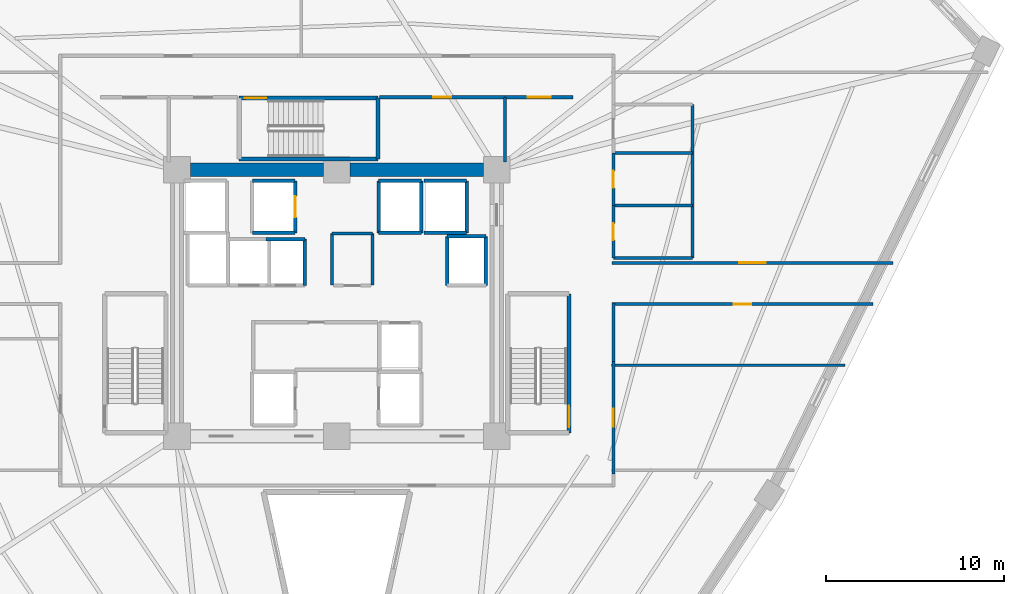
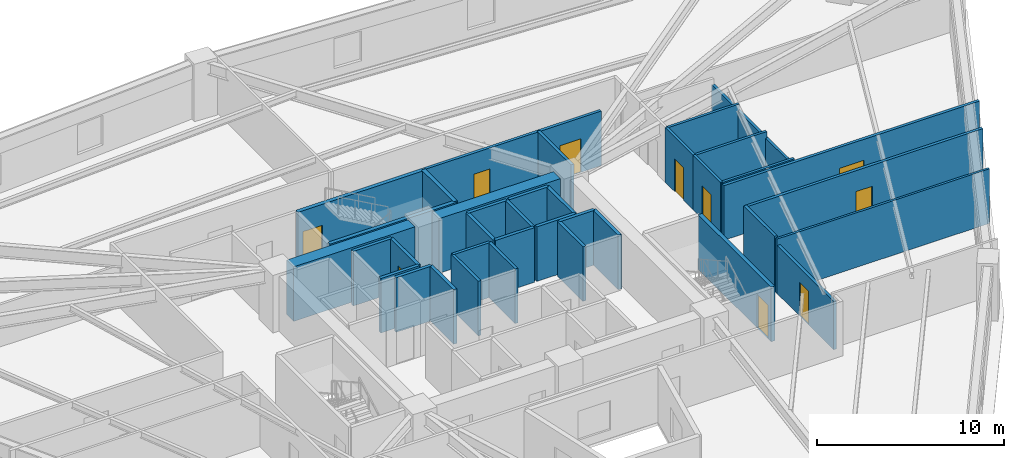
# One storey, part 5 of 7: 38 walls, 10 doors, 10 openings.
"""IFC4 building model written with IfcOpenShell, lengths in metres."""

from ifc_helpers import new_model, si_unit, direction, frame, frame_2d, origin, place, context, subcontext, project, spatial, rectangle, extrude, source, transform, mapped, material, layer, layer_set, type_object, element, fill, save


model = new_model("IFC4")

# Units and contexts
model_context = context("Model", 3, precision=1e-05, world=origin(), true_north=direction((0.0, 1.0)))
body_context = subcontext(model_context, "Body", "Model", "MODEL_VIEW")
ifc_project = project(units=[si_unit("LENGTHUNIT", "METRE"), si_unit("AREAUNIT", "SQUARE_METRE"), si_unit("VOLUMEUNIT", "CUBIC_METRE"), si_unit("PLANEANGLEUNIT", "RADIAN"), si_unit("MASSUNIT", "GRAM", prefix="KILO")], contexts=[model_context])

# Site, building, storey
site_placement = place(None, origin())
site = spatial("IfcSite", under=ifc_project, at=site_placement, CompositionType="ELEMENT")
building_placement = place(site_placement, origin())
building = spatial("IfcBuilding", under=site, at=building_placement, Name="Liaohun Quay Tower", CompositionType="ELEMENT")
storey_placement = place(building_placement, frame((0.0, 0.0, 120.75)))
storey = spatial("IfcBuildingStorey", under=building, at=storey_placement, Name="L31", CompositionType="ELEMENT", Elevation=120.75)

# Walls
ifc_material_1 = material(Name="Concrete C60", Category="concrete")
ifc_layer_1 = layer(ifc_material_1, 0.75, Name="Concrete C60", Category="concrete")
ifc_layer_set_1 = layer_set([ifc_layer_1], Name="Concrete C60")
wall_type_1 = type_object("IfcWallType", Name="WAL-COR-Z2", PredefinedType="SHEAR", material=ifc_layer_set_1)
for number, where, z_axis, x_axis, name in (
    (1, (51.75, 61.5, 0.0), (0.0, 0.0, 1.0), (1.0, 0.0, 0.0), "L31 Central Core Shear Wall N-W"),
    (2, (60.75, 61.5, 0.0), (0.0, 0.0, 1.0), (1.0, 0.0, 0.0), "L31 Central Core Shear Wall N-E"),
):
    element("IfcWall", number, at=place(storey_placement, frame(where, z_axis=z_axis, x_axis=x_axis)), inside=storey, type_object=wall_type_1, Name=name, PredefinedType="SHEAR", context=body_context, shape_type="SweptSolid", body=[
        extrude(rectangle(XDim=7.5, YDim=0.75, at=frame_2d((3.75, 0.0))), origin(), (0.0, 0.0, 1.0), 3.570068359375),
    ])

# Wall, opening, door
ifc_material_2 = material(Name="Autoclaved aerated concrete blockwork", Category="masonry")
ifc_layer_2 = layer(ifc_material_2, 0.179931640625, Name="Autoclaved aerated concrete blockwork", Category="masonry")
ifc_layer_set_2 = layer_set([ifc_layer_2], Name="Autoclaved aerated concrete blockwork")
wall_type_2 = type_object("IfcWallType", Name="WAL-PRT-COR", PredefinedType="PARTITIONING", material=ifc_layer_set_2)
wall_1_placement = place(storey_placement, frame((62.389892578125, 65.580078125, 0.0), z_axis=(0.0, 0.0, 1.0), x_axis=(1.0, 0.0, 0.0)))
wall_1 = element("IfcWall", 3, at=wall_1_placement, inside=storey, type_object=wall_type_2, Name="L31 Interior Partition Wall 007", PredefinedType="PARTITIONING", context=body_context, shape_type="SweptSolid", body=[
    extrude(rectangle(XDim=7.070068359375, YDim=0.179931640625, at=frame_2d((3.53515625, 0.0))), origin(), (0.0, 0.0, 1.0), 3.570068359375),
])
shared_shape_1 = source(origin(), body_context, "Body", "SweptSolid", [
    extrude(rectangle(XDim=1.0, YDim=2.199951171875, at=frame_2d((0.5, 1.10009765625))), frame((0.0, 0.099853515625, 0.0), z_axis=(0.0, -1.0, 0.0), x_axis=(1.0, 0.0, 0.0)), (0.0, 0.0, 1.0), 0.199951171875),
])
opening_1_placement = place(wall_1_placement, frame((3.034912109375, 0.0, 0.0)))
opening_1 = element("IfcOpeningElement", 4, at=opening_1_placement, cuts=wall_1, Name="Opening OD1", PredefinedType="OPENING", context=body_context, shape_type="MappedRepresentation", body=[
    mapped(shared_shape_1, transform((0.0, 0.0, 0.0), x_axis=(1.0, 0.0, 0.0), y_axis=(0.0, 1.0, 0.0), z_axis=(0.0, 0.0, 1.0), scale=1.0)),
])
ifc_material_3 = material(Name="Solid-core oak veneer timber leaf in steel frame", Category="steel")
door_type_1 = type_object("IfcDoorType", Name="DOR-OFF-1000", OperationType="NOTDEFINED", PredefinedType="DOOR", material=ifc_material_3)
shared_shape_2 = source(origin(), body_context, "Body", "SweptSolid", [
    extrude(rectangle(XDim=1.0, YDim=2.199951171875, at=frame_2d((0.5, 1.10009765625))), frame((0.0, 0.02490234375, 0.0), z_axis=(0.0, -1.0, 0.0), x_axis=(1.0, 0.0, 0.0)), (0.0, 0.0, 1.0), 0.050048828125),
])
door_1_placement = place(opening_1_placement, origin())
door_1 = element("IfcDoor", 5, at=door_1_placement, inside=storey, type_object=door_type_1, Name="L31 North-East Archive and Mail Room Door", OperationType="SINGLE_SWING_RIGHT", OverallHeight=2.199951171875, OverallWidth=1.0, PredefinedType="DOOR", context=body_context, shape_type="MappedRepresentation", body=[
    mapped(shared_shape_2, transform((0.0, 0.0, 0.0), x_axis=(1.0, 0.0, 0.0), y_axis=(0.0, 1.0, 0.0), z_axis=(0.0, 0.0, 1.0), scale=1.0)),
])
fill(opening_1, door_1)

wall_2_placement = place(storey_placement, frame((69.4599609375, 65.580078125, 0.0), z_axis=(0.0, 0.0, 1.0), x_axis=(1.0, 0.0, 0.0)))
wall_2 = element("IfcWall", 6, at=wall_2_placement, inside=storey, type_object=wall_type_2, Name="L31 Interior Partition Wall 009", PredefinedType="PARTITIONING", context=body_context, shape_type="SweptSolid", body=[
    extrude(rectangle(XDim=3.840087890625, YDim=0.179931640625, at=frame_2d((1.919921875, 0.0))), origin(), (0.0, 0.0, 1.0), 3.570068359375),
])
shared_shape_3 = source(origin(), body_context, "Body", "SweptSolid", [
    extrude(rectangle(XDim=1.300048828125, YDim=2.199951171875, at=frame_2d((0.64990234375, 1.10009765625))), frame((0.0, 0.099853515625, 0.0), z_axis=(0.0, -1.0, 0.0), x_axis=(1.0, 0.0, 0.0)), (0.0, 0.0, 1.0), 0.199951171875),
])
opening_2_placement = place(wall_2_placement, frame((1.27001953125, 0.0, 0.0)))
opening_2 = element("IfcOpeningElement", 7, at=opening_2_placement, cuts=wall_2, Name="Opening FD1", PredefinedType="OPENING", context=body_context, shape_type="MappedRepresentation", body=[
    mapped(shared_shape_3, transform((0.0, 0.0, 0.0), x_axis=(1.0, 0.0, 0.0), y_axis=(0.0, 1.0, 0.0), z_axis=(0.0, 0.0, 1.0), scale=1.0)),
])
ifc_material_4 = material(Name="Galvanised steel smokeproof fire door", Category="steel")
door_type_2 = type_object("IfcDoorType", Name="DOR-FFL-1300", OperationType="NOTDEFINED", PredefinedType="DOOR", material=ifc_material_4)
shared_shape_4 = source(origin(), body_context, "Body", "SweptSolid", [
    extrude(rectangle(XDim=1.300048828125, YDim=2.199951171875, at=frame_2d((0.64990234375, 1.10009765625))), frame((0.0, 0.02490234375, 0.0), z_axis=(0.0, -1.0, 0.0), x_axis=(1.0, 0.0, 0.0)), (0.0, 0.0, 1.0), 0.050048828125),
])
door_2_placement = place(opening_2_placement, origin())
door_2 = element("IfcDoor", 8, at=door_2_placement, inside=storey, type_object=door_type_2, Name="L31 East Core Vestibule Door", OperationType="SINGLE_SWING_RIGHT", OverallHeight=2.199951171875, OverallWidth=1.300048828125, PredefinedType="DOOR", context=body_context, shape_type="MappedRepresentation", body=[
    mapped(shared_shape_4, transform((0.0, 0.0, 0.0), x_axis=(1.0, 0.0, 0.0), y_axis=(0.0, 1.0, 0.0), z_axis=(0.0, 0.0, 1.0), scale=1.0)),
])
fill(opening_2, door_2)

wall_3_placement = place(storey_placement, frame((75.489990234375, 56.260009765625, 0.0), z_axis=(0.0, 0.0, 1.0), x_axis=(1.0, 0.0, 0.0)))
wall_3 = element("IfcWall", 9, at=wall_3_placement, inside=storey, type_object=wall_type_2, Name="L31 Interior Partition Wall 010", PredefinedType="PARTITIONING", context=body_context, shape_type="SweptSolid", body=[
    extrude(rectangle(XDim=15.81103515625, YDim=0.179931640625, at=frame_2d((7.905517578125, 0.0))), origin(), (0.0, 0.0, 1.0), 3.570068359375),
])
shared_shape_5 = source(origin(), body_context, "Body", "SweptSolid", [
    extrude(rectangle(XDim=1.5, YDim=2.199951171875, at=frame_2d((0.75, 1.10009765625))), frame((0.0, 0.099853515625, 0.0), z_axis=(0.0, -1.0, 0.0), x_axis=(1.0, 0.0, 0.0)), (0.0, 0.0, 1.0), 0.199951171875),
])
opening_3_placement = place(wall_3_placement, frame((7.156005859375, 0.0, 0.0)))
opening_3 = element("IfcOpeningElement", 10, at=opening_3_placement, cuts=wall_3, Name="Opening OD2", PredefinedType="OPENING", context=body_context, shape_type="MappedRepresentation", body=[
    mapped(shared_shape_5, transform((0.0, 0.0, 0.0), x_axis=(1.0, 0.0, 0.0), y_axis=(0.0, 1.0, 0.0), z_axis=(0.0, 0.0, 1.0), scale=1.0)),
])
ifc_material_5 = material(Name="Acoustic oak veneer double door")
door_type_3 = type_object("IfcDoorType", Name="DOR-OFF-1500", OperationType="DOUBLE_DOOR_SINGLE_SWING", PredefinedType="DOOR", material=ifc_material_5)
shared_shape_6 = source(origin(), body_context, "Body", "SweptSolid", [
    extrude(rectangle(XDim=1.5, YDim=2.199951171875, at=frame_2d((0.75, 1.10009765625))), frame((0.0, 0.02490234375, 0.0), z_axis=(0.0, -1.0, 0.0), x_axis=(1.0, 0.0, 0.0)), (0.0, 0.0, 1.0), 0.050048828125),
])
door_3_placement = place(opening_3_placement, origin())
door_3 = element("IfcDoor", 11, at=door_3_placement, inside=storey, type_object=door_type_3, Name="L31 Technical Reference Library 01 Door", OperationType="DOUBLE_DOOR_SINGLE_SWING", OverallHeight=2.199951171875, OverallWidth=1.5, PredefinedType="DOOR", context=body_context, shape_type="MappedRepresentation", body=[
    mapped(shared_shape_6, transform((0.0, 0.0, 0.0), x_axis=(1.0, 0.0, 0.0), y_axis=(0.0, 1.0, 0.0), z_axis=(0.0, 0.0, 1.0), scale=1.0)),
])
fill(opening_3, door_3)

wall_4_placement = place(storey_placement, frame((75.56005859375, 50.715087890625, 0.0), z_axis=(0.0, 0.0, 1.0), x_axis=(0.0, -1.0, 0.0)))
wall_4 = element("IfcWall", 12, at=wall_4_placement, inside=storey, type_object=wall_type_2, Name="L31 Interior Partition Wall 017", PredefinedType="PARTITIONING", context=body_context, shape_type="SweptSolid", body=[
    extrude(rectangle(XDim=6.330078125, YDim=0.179931640625, at=frame_2d((3.1650390625, 0.0))), origin(), (0.0, 0.0, 1.0), 3.155029296875),
])
opening_4_placement = place(wall_4_placement, frame((2.6650390625, 0.0, 0.0)))
opening_4 = element("IfcOpeningElement", 13, at=opening_4_placement, cuts=wall_4, Name="Opening OD1", PredefinedType="OPENING", context=body_context, shape_type="MappedRepresentation", body=[
    mapped(shared_shape_1, transform((0.0, 0.0, 0.0), x_axis=(1.0, 0.0, 0.0), y_axis=(0.0, 1.0, 0.0), z_axis=(0.0, 0.0, 1.0), scale=1.0)),
])
door_4_placement = place(opening_4_placement, origin())
door_4 = element("IfcDoor", 14, at=door_4_placement, inside=storey, type_object=door_type_1, Name="L31 Staff Daycare Nursery 08 Door", OperationType="SINGLE_SWING_RIGHT", OverallHeight=2.199951171875, OverallWidth=1.0, PredefinedType="DOOR", context=body_context, shape_type="MappedRepresentation", body=[
    mapped(shared_shape_2, transform((0.0, 0.0, 0.0), x_axis=(1.0, 0.0, 0.0), y_axis=(0.0, 1.0, 0.0), z_axis=(0.0, 0.0, 1.0), scale=1.0)),
])
fill(opening_4, door_4)

wall_5_placement = place(storey_placement, frame((90.1689453125, 53.93994140625, 0.0), z_axis=(0.0, 0.0, 1.0), x_axis=(-1.0, 0.0, 0.0)))
wall_5 = element("IfcWall", 15, at=wall_5_placement, inside=storey, type_object=wall_type_2, Name="L31 Interior Partition Wall 018", PredefinedType="PARTITIONING", context=body_context, shape_type="SweptSolid", body=[
    extrude(rectangle(XDim=14.678955078125, YDim=0.179931640625, at=frame_2d((7.33935546875, 0.0))), origin(), (0.0, 0.0, 1.0), 3.570068359375),
])
opening_5_placement = place(wall_5_placement, frame((6.840087890625, 0.0, 0.0)))
opening_5 = element("IfcOpeningElement", 16, at=opening_5_placement, cuts=wall_5, Name="Opening OD1", PredefinedType="OPENING", context=body_context, shape_type="MappedRepresentation", body=[
    mapped(shared_shape_1, transform((0.0, 0.0, 0.0), x_axis=(1.0, 0.0, 0.0), y_axis=(0.0, 1.0, 0.0), z_axis=(0.0, 0.0, 1.0), scale=1.0)),
])
door_5_placement = place(opening_5_placement, origin())
door_5 = element("IfcDoor", 17, at=door_5_placement, inside=storey, type_object=door_type_1, Name="L31 Records Archive Store 09 Door", OperationType="SINGLE_SWING_LEFT", OverallHeight=2.199951171875, OverallWidth=1.0, PredefinedType="DOOR", context=body_context, shape_type="MappedRepresentation", body=[
    mapped(shared_shape_2, transform((0.0, 0.0, 0.0), x_axis=(1.0, 0.0, 0.0), y_axis=(0.0, 1.0, 0.0), z_axis=(0.0, 0.0, 1.0), scale=1.0)),
])
fill(opening_5, door_5)

# Walls
for number, where, z_axis, x_axis, name in (
    (18, (59.719970703125, 55.02001953125, 0.0), (0.0, 0.0, 1.0), (0.0, 1.0, 0.0), "L31 Interior Partition Wall 019"),
    (19, (62.010009765625, 55.02001953125, 0.0), (0.0, 0.0, 1.0), (0.0, 1.0, 0.0), "L31 Interior Partition Wall 020"),
):
    element("IfcWall", number, at=place(storey_placement, frame(where, z_axis=z_axis, x_axis=x_axis)), inside=storey, type_object=wall_type_2, Name=name, PredefinedType="PARTITIONING", context=body_context, shape_type="SweptSolid", body=[
        extrude(rectangle(XDim=2.8798828125, YDim=0.179931640625, at=frame_2d((1.43994140625, 0.0))), origin(), (0.0, 0.0, 1.0), 3.570068359375),
    ])
wall_6_placement = place(storey_placement, frame((59.719970703125, 57.919921875, 0.0), z_axis=(0.0, 0.0, 1.0), x_axis=(1.0, 0.0, 0.0)))
element("IfcWall", 20, at=wall_6_placement, inside=storey, type_object=wall_type_2, Name="L31 Interior Partition Wall 021", PredefinedType="PARTITIONING", context=body_context, shape_type="SweptSolid", body=[
    extrude(rectangle(XDim=2.2900390625, YDim=0.179931640625, at=frame_2d((1.14501953125, 0.0))), origin(), (0.0, 0.0, 1.0), 3.570068359375),
])
wall_7_placement = place(storey_placement, frame((69.4599609375, 61.949951171875, 0.0), z_axis=(0.0, 0.0, 1.0), x_axis=(0.0, 1.0, 0.0)))
element("IfcWall", 21, at=wall_7_placement, inside=storey, type_object=wall_type_2, Name="L31 Interior Partition Wall 028", PredefinedType="PARTITIONING", context=body_context, shape_type="SweptSolid", body=[
    extrude(rectangle(XDim=3.630126953125, YDim=0.179931640625, at=frame_2d((1.81494140625, 0.0))), origin(), (0.0, 0.0, 1.0), 3.570068359375),
])
wall_8_placement = place(storey_placement, frame((75.56005859375, 54.010009765625, 0.0), z_axis=(0.0, 0.0, 1.0), x_axis=(0.0, -1.0, 0.0)))
element("IfcWall", 22, at=wall_8_placement, inside=storey, type_object=wall_type_2, Name="L31 Interior Partition Wall 036", PredefinedType="PARTITIONING", context=body_context, shape_type="SweptSolid", body=[
    extrude(rectangle(XDim=3.294921875, YDim=0.179931640625, at=frame_2d((1.6474609375, 0.0))), origin(), (0.0, 0.0, 1.0), 3.570068359375),
])
ifc_material_6 = material(Name="Gypsum board on twin steel studs", Category="steel")
ifc_layer_3 = layer(ifc_material_6, 0.139892578125, Name="Gypsum board on twin steel studs", Category="steel")
ifc_layer_set_3 = layer_set([ifc_layer_3], Name="Gypsum board on twin steel studs")
wall_type_3 = type_object("IfcWallType", Name="WAL-PRT-OFF", PredefinedType="PARTITIONING", material=ifc_layer_set_3)
wall_9_placement = place(storey_placement, frame((75.4599609375, 50.5, 0.0), z_axis=(0.0, 0.0, 1.0), x_axis=(1.0, 0.0, 0.0)))
element("IfcWall", 23, at=wall_9_placement, inside=storey, type_object=wall_type_3, Name="L31 Interior Partition Wall 041", PredefinedType="PARTITIONING", context=body_context, shape_type="SweptSolid", body=[
    extrude(rectangle(XDim=13.137939453125, YDim=0.139892578125, at=frame_2d((6.56884765625, 0.0))), origin(), (0.0, 0.0, 1.0), 3.570068359375),
])

# Wall, opening, door
ifc_material_7 = material(Name="Moisture-resistant masonry blockwork", Category="masonry")
ifc_layer_4 = layer(ifc_material_7, 0.159912109375, Name="Moisture-resistant masonry blockwork", Category="masonry")
ifc_layer_set_4 = layer_set([ifc_layer_4], Name="Moisture-resistant masonry blockwork")
wall_type_4 = type_object("IfcWallType", Name="WAL-PRT-WET", PredefinedType="PARTITIONING", material=ifc_layer_set_4)
wall_10_placement = place(storey_placement, frame((75.56005859375, 56.5400390625, 0.0), z_axis=(0.0, 0.0, 1.0), x_axis=(0.0, 1.0, 0.0)))
wall_10 = element("IfcWall", 24, at=wall_10_placement, inside=storey, type_object=wall_type_4, Name="L31 Interior Partition Wall 003", PredefinedType="PARTITIONING", context=body_context, shape_type="SweptSolid", body=[
    extrude(rectangle(XDim=2.93994140625, YDim=0.159912109375, at=frame_2d((1.469970703125, 0.0))), origin(), (0.0, 0.0, 1.0), 3.570068359375),
])
shared_shape_7 = source(origin(), body_context, "Body", "SweptSolid", [
    extrude(rectangle(XDim=0.949951171875, YDim=2.14990234375, at=frame_2d((0.47509765625, 1.074951171875))), frame((0.0, 0.08984375, 0.0), z_axis=(0.0, -1.0, 0.0), x_axis=(1.0, 0.0, 0.0)), (0.0, 0.0, 1.0), 0.179931640625),
])
opening_6_placement = place(wall_10_placement, frame((0.9951171875, 0.0, 0.0)))
opening_6 = element("IfcOpeningElement", 25, at=opening_6_placement, cuts=wall_10, Name="Opening WD1", PredefinedType="OPENING", context=body_context, shape_type="MappedRepresentation", body=[
    mapped(shared_shape_7, transform((0.0, 0.0, 0.0), x_axis=(1.0, 0.0, 0.0), y_axis=(0.0, 1.0, 0.0), z_axis=(0.0, 0.0, 1.0), scale=1.0)),
])
ifc_material_8 = material(Name="Moisture-resistant laminate timber leaf", Category="wood")
door_type_4 = type_object("IfcDoorType", Name="DOR-WC-950", OperationType="NOTDEFINED", PredefinedType="DOOR", material=ifc_material_8)
shared_shape_8 = source(origin(), body_context, "Body", "SweptSolid", [
    extrude(rectangle(XDim=0.949951171875, YDim=2.14990234375, at=frame_2d((0.47509765625, 1.074951171875))), frame((0.0, 0.02490234375, 0.0), z_axis=(0.0, -1.0, 0.0), x_axis=(1.0, 0.0, 0.0)), (0.0, 0.0, 1.0), 0.050048828125),
])
door_6_placement = place(opening_6_placement, origin())
door_6 = element("IfcDoor", 26, at=door_6_placement, inside=storey, type_object=door_type_4, Name="L31 Male Restroom WC Door", OperationType="SINGLE_SWING_RIGHT", OverallHeight=2.14990234375, OverallWidth=0.949951171875, PredefinedType="DOOR", context=body_context, shape_type="MappedRepresentation", body=[
    mapped(shared_shape_8, transform((0.0, 0.0, 0.0), x_axis=(1.0, 0.0, 0.0), y_axis=(0.0, 1.0, 0.0), z_axis=(0.0, 0.0, 1.0), scale=1.0)),
])
fill(opening_6, door_6)

wall_11_placement = place(storey_placement, frame((75.56005859375, 59.47998046875, 0.0), z_axis=(0.0, 0.0, 1.0), x_axis=(0.0, 1.0, 0.0)))
wall_11 = element("IfcWall", 27, at=wall_11_placement, inside=storey, type_object=wall_type_4, Name="L31 Interior Partition Wall 004", PredefinedType="PARTITIONING", context=body_context, shape_type="SweptSolid", body=[
    extrude(rectangle(XDim=2.9599609375, YDim=0.159912109375, at=frame_2d((1.47998046875, 0.0))), origin(), (0.0, 0.0, 1.0), 3.570068359375),
])
opening_7_placement = place(wall_11_placement, frame((1.0048828125, 0.0, 0.0)))
opening_7 = element("IfcOpeningElement", 28, at=opening_7_placement, cuts=wall_11, Name="Opening WD1", PredefinedType="OPENING", context=body_context, shape_type="MappedRepresentation", body=[
    mapped(shared_shape_7, transform((0.0, 0.0, 0.0), x_axis=(1.0, 0.0, 0.0), y_axis=(0.0, 1.0, 0.0), z_axis=(0.0, 0.0, 1.0), scale=1.0)),
])
door_7_placement = place(opening_7_placement, origin())
door_7 = element("IfcDoor", 29, at=door_7_placement, inside=storey, type_object=door_type_4, Name="L31 Female Restroom WC Door", OperationType="SINGLE_SWING_LEFT", OverallHeight=2.14990234375, OverallWidth=0.949951171875, PredefinedType="DOOR", context=body_context, shape_type="MappedRepresentation", body=[
    mapped(shared_shape_8, transform((0.0, 0.0, 0.0), x_axis=(1.0, 0.0, 0.0), y_axis=(0.0, 1.0, 0.0), z_axis=(0.0, 0.0, 1.0), scale=1.0)),
])
fill(opening_7, door_7)

# Walls
wall_12_placement = place(storey_placement, frame((80.02001953125, 56.5400390625, 0.0), z_axis=(0.0, 0.0, 1.0), x_axis=(0.0, 1.0, 0.0)))
element("IfcWall", 30, at=wall_12_placement, inside=storey, type_object=wall_type_4, Name="L31 Interior Partition Wall 022", PredefinedType="PARTITIONING", context=body_context, shape_type="SweptSolid", body=[
    extrude(rectangle(XDim=8.639892578125, YDim=0.159912109375, at=frame_2d((4.31982421875, 0.0))), origin(), (0.0, 0.0, 1.0), 3.155029296875),
])
for number, where, z_axis, x_axis, name in (
    (31, (75.56005859375, 56.5400390625, 0.0), (0.0, 0.0, 1.0), (1.0, 0.0, 0.0), "L31 Interior Partition Wall 023"),
    (32, (75.56005859375, 59.47998046875, 0.0), (0.0, 0.0, 1.0), (1.0, 0.0, 0.0), "L31 Interior Partition Wall 024"),
    (33, (75.56005859375, 62.43994140625, 0.0), (0.0, 0.0, 1.0), (1.0, 0.0, 0.0), "L31 Interior Partition Wall 025"),
):
    element("IfcWall", number, at=place(storey_placement, frame(where, z_axis=z_axis, x_axis=x_axis)), inside=storey, type_object=wall_type_4, Name=name, PredefinedType="PARTITIONING", context=body_context, shape_type="SweptSolid", body=[
        extrude(rectangle(XDim=4.4599609375, YDim=0.159912109375, at=frame_2d((2.22998046875, 0.0))), origin(), (0.0, 0.0, 1.0), 3.570068359375),
    ])

# Wall, opening, door
ifc_material_9 = material(Name="Concrete C50", Category="concrete")
ifc_layer_5 = layer(ifc_material_9, 0.239990234375, Name="Concrete C50", Category="concrete")
ifc_layer_set_5 = layer_set([ifc_layer_5], Name="Concrete C50")
wall_type_5 = type_object("IfcWallType", Name="WAL-SHF-200", PredefinedType="SOLIDWALL", material=ifc_layer_set_5)
wall_13_placement = place(storey_placement, frame((73.06005859375, 46.699951171875, 0.0), z_axis=(0.0, 0.0, 1.0), x_axis=(0.0, 1.0, 0.0)))
wall_13 = element("IfcWall", 34, at=wall_13_placement, inside=storey, type_object=wall_type_5, Name="L31 Stairwell ST-2 Structural Core Wall E", PredefinedType="SOLIDWALL", context=body_context, shape_type="SweptSolid", body=[
    extrude(rectangle(XDim=7.820068359375, YDim=0.239990234375, at=frame_2d((3.91015625, 0.0))), origin(), (0.0, 0.0, 1.0), 3.570068359375),
])
shared_shape_9 = source(origin(), body_context, "Body", "SweptSolid", [
    extrude(rectangle(XDim=1.199951171875, YDim=2.199951171875, at=frame_2d((0.60009765625, 1.10009765625))), frame((0.0, 0.1298828125, 0.0), z_axis=(0.0, -1.0, 0.0), x_axis=(1.0, 0.0, 0.0)), (0.0, 0.0, 1.0), 0.260009765625),
])
opening_8_placement = place(wall_13_placement, frame((0.320068359375, 0.0, 0.0)))
opening_8 = element("IfcOpeningElement", 35, at=opening_8_placement, cuts=wall_13, Name="Opening SD1", PredefinedType="OPENING", context=body_context, shape_type="MappedRepresentation", body=[
    mapped(shared_shape_9, transform((0.0, 0.0, 0.0), x_axis=(1.0, 0.0, 0.0), y_axis=(0.0, 1.0, 0.0), z_axis=(0.0, 0.0, 1.0), scale=1.0)),
])
ifc_material_10 = material(Name="Galvanised steel fire door", Category="steel")
door_type_5 = type_object("IfcDoorType", Name="DOR-STR-1200", OperationType="NOTDEFINED", PredefinedType="DOOR", material=ifc_material_10)
shared_shape_10 = source(origin(), body_context, "Body", "SweptSolid", [
    extrude(rectangle(XDim=1.199951171875, YDim=2.199951171875, at=frame_2d((0.60009765625, 1.10009765625))), frame((0.0, 0.02490234375, 0.0), z_axis=(0.0, -1.0, 0.0), x_axis=(1.0, 0.0, 0.0)), (0.0, 0.0, 1.0), 0.050048828125),
])
door_8_placement = place(opening_8_placement, origin())
door_8 = element("IfcDoor", 36, at=door_8_placement, inside=storey, type_object=door_type_5, Name="L31 Protected Stair ST-2 Fire Door", OperationType="SINGLE_SWING_RIGHT", OverallHeight=2.199951171875, OverallWidth=1.199951171875, PredefinedType="DOOR", context=body_context, shape_type="MappedRepresentation", body=[
    mapped(shared_shape_10, transform((0.0, 0.0, 0.0), x_axis=(1.0, 0.0, 0.0), y_axis=(0.0, 1.0, 0.0), z_axis=(0.0, 0.0, 1.0), scale=1.0)),
])
fill(opening_8, door_8)

# Walls
wall_14_placement = place(storey_placement, frame((54.5, 62.10009765625, 0.0), z_axis=(0.0, 0.0, 1.0), x_axis=(1.0, 0.0, 0.0)))
element("IfcWall", 37, at=wall_14_placement, inside=storey, type_object=wall_type_5, Name="L31 Stairwell ST-3 Structural Core Wall S", PredefinedType="SOLIDWALL", context=body_context, shape_type="SweptSolid", body=[
    extrude(rectangle(XDim=7.820068359375, YDim=0.239990234375, at=frame_2d((3.91015625, 0.0))), origin(), (0.0, 0.0, 1.0), 3.570068359375),
])
wall_15_placement = place(storey_placement, frame((62.320068359375, 62.10009765625, 0.0), z_axis=(0.0, 0.0, 1.0), x_axis=(0.0, 1.0, 0.0)))
element("IfcWall", 38, at=wall_15_placement, inside=storey, type_object=wall_type_5, Name="L31 Stairwell ST-3 Structural Core Wall E", PredefinedType="SOLIDWALL", context=body_context, shape_type="SweptSolid", body=[
    extrude(rectangle(XDim=3.43994140625, YDim=0.239990234375, at=frame_2d((1.719970703125, 0.0))), origin(), (0.0, 0.0, 1.0), 3.570068359375),
])

# Wall, opening, door
wall_16_placement = place(storey_placement, frame((62.320068359375, 65.5400390625, 0.0), z_axis=(0.0, 0.0, 1.0), x_axis=(-1.0, 0.0, 0.0)))
wall_16 = element("IfcWall", 39, at=wall_16_placement, inside=storey, type_object=wall_type_5, Name="L31 Stairwell ST-3 Structural Core Wall N", PredefinedType="SOLIDWALL", context=body_context, shape_type="SweptSolid", body=[
    extrude(rectangle(XDim=7.820068359375, YDim=0.239990234375, at=frame_2d((3.91015625, 0.0))), origin(), (0.0, 0.0, 1.0), 3.570068359375),
])
opening_9_placement = place(wall_16_placement, frame((6.300048828125, 0.0, 0.0)))
opening_9 = element("IfcOpeningElement", 40, at=opening_9_placement, cuts=wall_16, Name="Opening SD1", PredefinedType="OPENING", context=body_context, shape_type="MappedRepresentation", body=[
    mapped(shared_shape_9, transform((0.0, 0.0, 0.0), x_axis=(1.0, 0.0, 0.0), y_axis=(0.0, 1.0, 0.0), z_axis=(0.0, 0.0, 1.0), scale=1.0)),
])
door_9_placement = place(opening_9_placement, origin())
door_9 = element("IfcDoor", 41, at=door_9_placement, inside=storey, type_object=door_type_5, Name="L31 Protected Stair ST-3 Fire Door", OperationType="SINGLE_SWING_RIGHT", OverallHeight=2.199951171875, OverallWidth=1.199951171875, PredefinedType="DOOR", context=body_context, shape_type="MappedRepresentation", body=[
    mapped(shared_shape_10, transform((0.0, 0.0, 0.0), x_axis=(1.0, 0.0, 0.0), y_axis=(0.0, 1.0, 0.0), z_axis=(0.0, 0.0, 1.0), scale=1.0)),
])
fill(opening_9, door_9)

# Wall
wall_17_placement = place(storey_placement, frame((55.25, 57.949951171875, 0.0), z_axis=(0.0, 0.0, 1.0), x_axis=(1.0, 0.0, 0.0)))
element("IfcWall", 42, at=wall_17_placement, inside=storey, type_object=wall_type_5, Name="L31 Lift FF-03 Hoistway Wall S", PredefinedType="SOLIDWALL", context=body_context, shape_type="SweptSolid", body=[
    extrude(rectangle(XDim=2.39990234375, YDim=0.199951171875, at=frame_2d((1.199951171875, 0.0))), origin(), (0.0, 0.0, 1.0), 3.570068359375),
])

# Wall, opening, door
wall_18_placement = place(storey_placement, frame((57.64990234375, 57.949951171875, 0.0), z_axis=(0.0, 0.0, 1.0), x_axis=(0.0, 1.0, 0.0)))
wall_18 = element("IfcWall", 43, at=wall_18_placement, inside=storey, type_object=wall_type_5, Name="L31 Lift FF-03 Hoistway Wall E", PredefinedType="SOLIDWALL", context=body_context, shape_type="SweptSolid", body=[
    extrude(rectangle(XDim=2.929931640625, YDim=0.199951171875, at=frame_2d((1.46484375, 0.0))), origin(), (0.0, 0.0, 1.0), 3.570068359375),
])
shared_shape_11 = source(origin(), body_context, "Body", "SweptSolid", [
    extrude(rectangle(XDim=1.199951171875, YDim=2.300048828125, at=frame_2d((0.60009765625, 1.14990234375))), frame((0.0, 0.10986328125, 0.0), z_axis=(0.0, -1.0, 0.0), x_axis=(1.0, 0.0, 0.0)), (0.0, 0.0, 1.0), 0.219970703125),
])
opening_10_placement = place(wall_18_placement, frame((0.864990234375, 0.0, 0.0)))
opening_10 = element("IfcOpeningElement", 44, at=opening_10_placement, cuts=wall_18, Name="Opening LD2", PredefinedType="OPENING", context=body_context, shape_type="MappedRepresentation", body=[
    mapped(shared_shape_11, transform((0.0, 0.0, 0.0), x_axis=(1.0, 0.0, 0.0), y_axis=(0.0, 1.0, 0.0), z_axis=(0.0, 0.0, 1.0), scale=1.0)),
])
ifc_material_11 = material(Name="Brushed stainless steel stretcher landing door", Category="steel")
door_type_6 = type_object("IfcDoorType", Name="DOR-LFT-1200", OperationType="SLIDING_TO_LEFT", PredefinedType="DOOR", material=ifc_material_11)
shared_shape_12 = source(origin(), body_context, "Body", "SweptSolid", [
    extrude(rectangle(XDim=1.199951171875, YDim=2.300048828125, at=frame_2d((0.60009765625, 1.14990234375))), frame((0.0, 0.02490234375, 0.0), z_axis=(0.0, -1.0, 0.0), x_axis=(1.0, 0.0, 0.0)), (0.0, 0.0, 1.0), 0.050048828125),
])
door_10_placement = place(opening_10_placement, origin())
door_10 = element("IfcDoor", 45, at=door_10_placement, inside=storey, type_object=door_type_6, Name="L31 Lift FF-03 Sliding Landing Door", OperationType="SLIDING_TO_LEFT", OverallHeight=2.300048828125, OverallWidth=1.199951171875, PredefinedType="DOOR", context=body_context, shape_type="MappedRepresentation", body=[
    mapped(shared_shape_12, transform((0.0, 0.0, 0.0), x_axis=(1.0, 0.0, 0.0), y_axis=(0.0, 1.0, 0.0), z_axis=(0.0, 0.0, 1.0), scale=1.0)),
])
fill(opening_10, door_10)

# Walls
for number, where, z_axis, x_axis, name in (
    (46, (57.64990234375, 60.8798828125, 0.0), (0.0, 0.0, 1.0), (-1.0, 0.0, 0.0), "L31 Lift FF-03 Hoistway Wall N"),
    (47, (62.35009765625, 57.949951171875, 0.0), (0.0, 0.0, 1.0), (1.0, 0.0, 0.0), "L31 Lift OB-01 Hoistway Wall S"),
):
    element("IfcWall", number, at=place(storey_placement, frame(where, z_axis=z_axis, x_axis=x_axis)), inside=storey, type_object=wall_type_5, Name=name, PredefinedType="SOLIDWALL", context=body_context, shape_type="SweptSolid", body=[
        extrude(rectangle(XDim=2.39990234375, YDim=0.199951171875, at=frame_2d((1.199951171875, 0.0))), origin(), (0.0, 0.0, 1.0), 3.570068359375),
    ])
wall_19_placement = place(storey_placement, frame((64.75, 57.949951171875, 0.0), z_axis=(0.0, 0.0, 1.0), x_axis=(0.0, 1.0, 0.0)))
element("IfcWall", 48, at=wall_19_placement, inside=storey, type_object=wall_type_5, Name="L31 Lift OB-01 Hoistway Wall E", PredefinedType="SOLIDWALL", context=body_context, shape_type="SweptSolid", body=[
    extrude(rectangle(XDim=2.929931640625, YDim=0.199951171875, at=frame_2d((1.46484375, 0.0))), origin(), (0.0, 0.0, 1.0), 3.570068359375),
])
wall_20_placement = place(storey_placement, frame((64.75, 60.8798828125, 0.0), z_axis=(0.0, 0.0, 1.0), x_axis=(-1.0, 0.0, 0.0)))
element("IfcWall", 49, at=wall_20_placement, inside=storey, type_object=wall_type_5, Name="L31 Lift OB-01 Hoistway Wall N", PredefinedType="SOLIDWALL", context=body_context, shape_type="SweptSolid", body=[
    extrude(rectangle(XDim=2.39990234375, YDim=0.199951171875, at=frame_2d((1.199951171875, 0.0))), origin(), (0.0, 0.0, 1.0), 3.570068359375),
])
wall_21_placement = place(storey_placement, frame((62.35009765625, 60.8798828125, 0.0), z_axis=(0.0, 0.0, 1.0), x_axis=(0.0, -1.0, 0.0)))
element("IfcWall", 50, at=wall_21_placement, inside=storey, type_object=wall_type_5, Name="L31 Lift OB-01 Hoistway Wall W", PredefinedType="SOLIDWALL", context=body_context, shape_type="SweptSolid", body=[
    extrude(rectangle(XDim=2.929931640625, YDim=0.199951171875, at=frame_2d((1.46484375, 0.0))), origin(), (0.0, 0.0, 1.0), 3.570068359375),
])
wall_22_placement = place(storey_placement, frame((64.89990234375, 57.949951171875, 0.0), z_axis=(0.0, 0.0, 1.0), x_axis=(1.0, 0.0, 0.0)))
element("IfcWall", 51, at=wall_22_placement, inside=storey, type_object=wall_type_5, Name="L31 Lift OB-02 Hoistway Wall S", PredefinedType="SOLIDWALL", context=body_context, shape_type="SweptSolid", body=[
    extrude(rectangle(XDim=2.400146484375, YDim=0.199951171875, at=frame_2d((1.2001953125, 0.0))), origin(), (0.0, 0.0, 1.0), 3.570068359375),
])
wall_23_placement = place(storey_placement, frame((67.300048828125, 57.949951171875, 0.0), z_axis=(0.0, 0.0, 1.0), x_axis=(0.0, 1.0, 0.0)))
element("IfcWall", 52, at=wall_23_placement, inside=storey, type_object=wall_type_5, Name="L31 Lift OB-02 Hoistway Wall E", PredefinedType="SOLIDWALL", context=body_context, shape_type="SweptSolid", body=[
    extrude(rectangle(XDim=2.929931640625, YDim=0.199951171875, at=frame_2d((1.46484375, 0.0))), origin(), (0.0, 0.0, 1.0), 3.570068359375),
])
wall_24_placement = place(storey_placement, frame((67.300048828125, 60.8798828125, 0.0), z_axis=(0.0, 0.0, 1.0), x_axis=(-1.0, 0.0, 0.0)))
element("IfcWall", 53, at=wall_24_placement, inside=storey, type_object=wall_type_5, Name="L31 Lift OB-02 Hoistway Wall N", PredefinedType="SOLIDWALL", context=body_context, shape_type="SweptSolid", body=[
    extrude(rectangle(XDim=2.400146484375, YDim=0.199951171875, at=frame_2d((1.2001953125, 0.0))), origin(), (0.0, 0.0, 1.0), 3.570068359375),
])
wall_25_placement = place(storey_placement, frame((68.3798828125, 55.0, 0.0), z_axis=(0.0, 0.0, 1.0), x_axis=(0.0, 1.0, 0.0)))
element("IfcWall", 54, at=wall_25_placement, inside=storey, type_object=wall_type_5, Name="L31 Lift SH-03 Hoistway Wall E", PredefinedType="SOLIDWALL", context=body_context, shape_type="SweptSolid", body=[
    extrude(rectangle(XDim=2.75, YDim=0.199951171875, at=frame_2d((1.375, 0.0))), origin(), (0.0, 0.0, 1.0), 3.570068359375),
])
wall_26_placement = place(storey_placement, frame((68.3798828125, 57.75, 0.0), z_axis=(0.0, 0.0, 1.0), x_axis=(-1.0, 0.0, 0.0)))
element("IfcWall", 55, at=wall_26_placement, inside=storey, type_object=wall_type_5, Name="L31 Lift SH-03 Hoistway Wall N", PredefinedType="SOLIDWALL", context=body_context, shape_type="SweptSolid", body=[
    extrude(rectangle(XDim=2.179931640625, YDim=0.199951171875, at=frame_2d((1.08984375, 0.0))), origin(), (0.0, 0.0, 1.0), 3.570068359375),
])
wall_27_placement = place(storey_placement, frame((66.199951171875, 57.75, 0.0), z_axis=(0.0, 0.0, 1.0), x_axis=(0.0, -1.0, 0.0)))
element("IfcWall", 56, at=wall_27_placement, inside=storey, type_object=wall_type_5, Name="L31 Lift SH-03 Hoistway Wall W", PredefinedType="SOLIDWALL", context=body_context, shape_type="SweptSolid", body=[
    extrude(rectangle(XDim=2.75, YDim=0.199951171875, at=frame_2d((1.375, 0.0))), origin(), (0.0, 0.0, 1.0), 3.570068359375),
])
wall_28_placement = place(storey_placement, frame((58.199951171875, 55.0, 0.0), z_axis=(0.0, 0.0, 1.0), x_axis=(0.0, 1.0, 0.0)))
element("IfcWall", 57, at=wall_28_placement, inside=storey, type_object=wall_type_5, Name="L31 Lift PL-2C Hoistway Wall E", PredefinedType="SOLIDWALL", context=body_context, shape_type="SweptSolid", body=[
    extrude(rectangle(XDim=2.60009765625, YDim=0.199951171875, at=frame_2d((1.300048828125, 0.0))), origin(), (0.0, 0.0, 1.0), 3.570068359375),
])
wall_29_placement = place(storey_placement, frame((58.199951171875, 57.60009765625, 0.0), z_axis=(0.0, 0.0, 1.0), x_axis=(-1.0, 0.0, 0.0)))
element("IfcWall", 58, at=wall_29_placement, inside=storey, type_object=wall_type_5, Name="L31 Lift PL-2C Hoistway Wall N", PredefinedType="SOLIDWALL", context=body_context, shape_type="SweptSolid", body=[
    extrude(rectangle(XDim=2.199951171875, YDim=0.199951171875, at=frame_2d((1.10009765625, 0.0))), origin(), (0.0, 0.0, 1.0), 3.570068359375),
])

save(model, "model.ifc")
